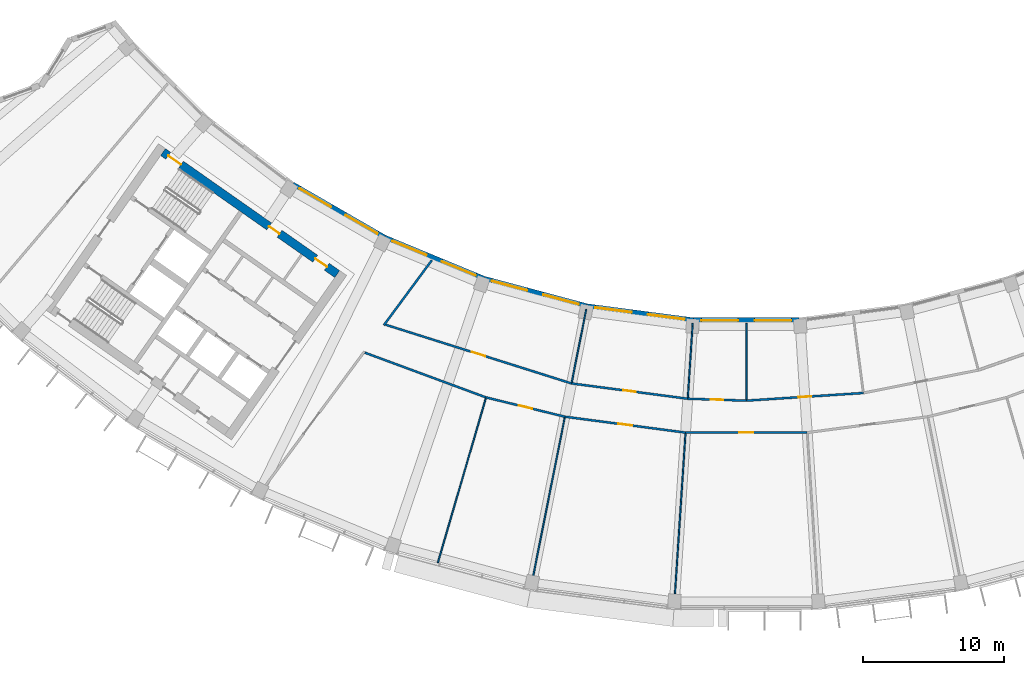
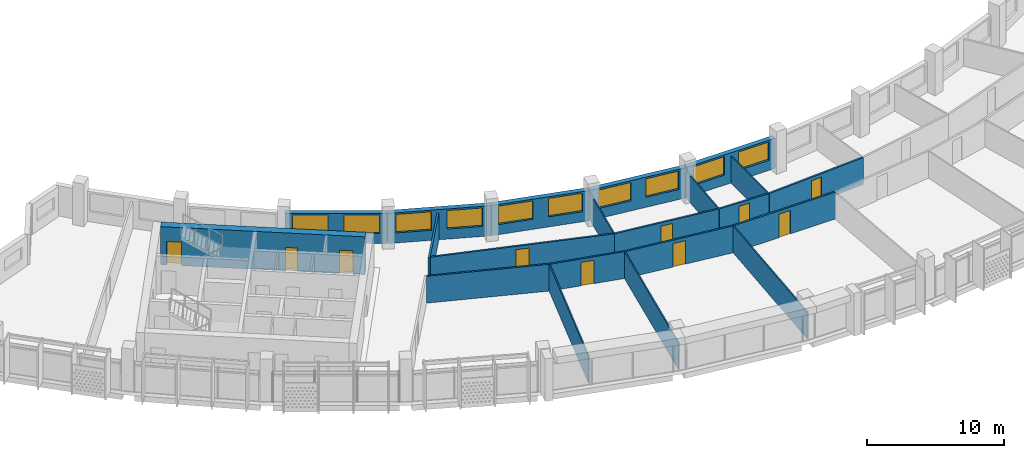
# One storey, part 4 of 27: 21 walls, 10 doors, 10 windows, 20 openings.
"""IFC4 building model written with IfcOpenShell, lengths in metres."""

from ifc_helpers import new_model, si_unit, direction, frame, frame_2d, origin, place, context, subcontext, project, spatial, rectangle, extrude, material, layer, layer_set, type_object, element, fill, save


model = new_model("IFC4")

# Units and contexts
model_context = context("Model", 3, precision=1e-05, world=origin(), true_north=direction((0.0, 1.0)))
body_context = subcontext(model_context, "Body", "Model", "MODEL_VIEW")
ifc_project = project(units=[si_unit("LENGTHUNIT", "METRE"), si_unit("AREAUNIT", "SQUARE_METRE"), si_unit("VOLUMEUNIT", "CUBIC_METRE"), si_unit("PLANEANGLEUNIT", "RADIAN"), si_unit("MASSUNIT", "GRAM", prefix="KILO")], contexts=[model_context])

# Site, building, storey
site_placement = place(None, origin())
site = spatial("IfcSite", under=ifc_project, at=site_placement, CompositionType="ELEMENT")
building_placement = place(site_placement, origin())
building = spatial("IfcBuilding", under=site, at=building_placement, Name="Qamariyya Broadcast Tower", CompositionType="ELEMENT")
storey_placement = place(building_placement, frame((0.0, 0.0, 280.89990234375)))
storey = spatial("IfcBuildingStorey", under=building, at=storey_placement, Name="L68", CompositionType="ELEMENT", Elevation=280.89990234375)

# Wall, openings, doors
ifc_material_1 = material(Name="Concrete C60/75", Category="concrete")
ifc_layer_1 = layer(ifc_material_1, 0.60009765625)
ifc_layer_set_1 = layer_set([ifc_layer_1], Name="Core wall 600 mm Concrete C60/75")
wall_type_1 = type_object("IfcWallType", Name="Core wall 600 mm Concrete C60/75", PredefinedType="SHEAR", material=ifc_layer_set_1)
wall_1_placement = place(storey_placement, frame((-28.940673828125, -54.447021484375, 0.0), z_axis=(0.0, 0.0, 1.0), x_axis=(-0.819153391756, 0.573574511963, 0.0)))
wall_1 = element("IfcWall", 1, at=wall_1_placement, inside=storey, type_object=wall_type_1, Name="k-W-L68-WI", PredefinedType="SHEAR", context=body_context, shape_type="SweptSolid", body=[
    extrude(rectangle(XDim=15.04541015625, YDim=0.60009765625, at=frame_2d((7.522705078125, 0.0))), origin(), (0.0, 0.0, 1.0), 3.400146484375),
])
opening_1_placement = place(wall_1_placement, frame((0.89990234375, 0.0, 0.0)))
opening_1 = element("IfcOpeningElement", 2, at=opening_1_placement, cuts=wall_1, Name="Opening KD7-W1", PredefinedType="OPENING", context=body_context, shape_type="SweptSolid", body=[
    extrude(rectangle(XDim=1.0, YDim=2.10009765625, at=frame_2d((0.5, 1.050048828125))), frame((0.0, 0.31005859375, 0.0), z_axis=(0.0, -1.0, 0.0), x_axis=(1.0, 0.0, 0.0)), (0.0, 0.0, 1.0), 0.6201171875),
])
opening_2_placement = place(wall_1_placement, frame((4.97509765625, 0.0, 0.0)))
opening_2 = element("IfcOpeningElement", 3, at=opening_2_placement, cuts=wall_1, Name="Opening KD5-W1", PredefinedType="OPENING", context=body_context, shape_type="SweptSolid", body=[
    extrude(rectangle(XDim=0.89990234375, YDim=2.10009765625, at=frame_2d((0.449951171875, 1.050048828125))), frame((0.0, 0.31005859375, 0.0), z_axis=(0.0, -1.0, 0.0), x_axis=(1.0, 0.0, 0.0)), (0.0, 0.0, 1.0), 0.6201171875),
])
opening_3_placement = place(wall_1_placement, frame((13.495361328125, 0.0, 0.0)))
opening_3 = element("IfcOpeningElement", 4, at=opening_3_placement, cuts=wall_1, Name="Opening KD1-W1", PredefinedType="OPENING", context=body_context, shape_type="SweptSolid", body=[
    extrude(rectangle(XDim=1.10009765625, YDim=2.10009765625, at=frame_2d((0.550048828125, 1.050048828125))), frame((0.0, 0.31005859375, 0.0), z_axis=(0.0, -1.0, 0.0), x_axis=(1.0, 0.0, 0.0)), (0.0, 0.0, 1.0), 0.6201171875),
])
ifc_material_2 = material(Name="Steel fire-resisting door leaf", Category="steel")
door_type_1 = type_object("IfcDoorType", Name="Accessible toilet door KD7", OperationType="SINGLE_SWING_LEFT", PredefinedType="DOOR", material=ifc_material_2)
door_1_placement = place(opening_1_placement, origin())
door_1 = element("IfcDoor", 5, at=door_1_placement, inside=storey, type_object=door_type_1, Name="k-W-L68-WI-D8", OperationType="SINGLE_SWING_LEFT", OverallHeight=2.10009765625, OverallWidth=1.0, PredefinedType="DOOR", context=body_context, shape_type="SweptSolid", body=[
    extrude(rectangle(XDim=1.0, YDim=2.10009765625, at=frame_2d((0.5, 1.050048828125))), frame((0.0, 0.02490234375, 0.0), z_axis=(0.0, -1.0, 0.0), x_axis=(1.0, 0.0, 0.0)), (0.0, 0.0, 1.0), 0.050048828125),
])
fill(opening_1, door_1)
door_type_2 = type_object("IfcDoorType", Name="Stair door KD1", OperationType="SINGLE_SWING_LEFT", PredefinedType="DOOR", material=ifc_material_2)
door_2_placement = place(opening_3_placement, origin())
door_2 = element("IfcDoor", 6, at=door_2_placement, inside=storey, type_object=door_type_2, Name="k-W-L68-WI-D16", OperationType="SINGLE_SWING_RIGHT", OverallHeight=2.10009765625, OverallWidth=1.10009765625, PredefinedType="DOOR", context=body_context, shape_type="SweptSolid", body=[
    extrude(rectangle(XDim=1.10009765625, YDim=2.10009765625, at=frame_2d((0.550048828125, 1.050048828125))), frame((0.0, 0.02490234375, 0.0), z_axis=(0.0, -1.0, 0.0), x_axis=(1.0, 0.0, 0.0)), (0.0, 0.0, 1.0), 0.050048828125),
])
fill(opening_3, door_2)
door_type_3 = type_object("IfcDoorType", Name="Toilet door KD5", OperationType="SINGLE_SWING_LEFT", PredefinedType="DOOR", material=ifc_material_2)
door_3_placement = place(opening_2_placement, origin())
door_3 = element("IfcDoor", 7, at=door_3_placement, inside=storey, type_object=door_type_3, Name="k-W-L68-WI-D9", OperationType="SINGLE_SWING_RIGHT", OverallHeight=2.10009765625, OverallWidth=0.89990234375, PredefinedType="DOOR", context=body_context, shape_type="SweptSolid", body=[
    extrude(rectangle(XDim=0.89990234375, YDim=2.10009765625, at=frame_2d((0.449951171875, 1.050048828125))), frame((0.0, 0.02490234375, 0.0), z_axis=(0.0, -1.0, 0.0), x_axis=(1.0, 0.0, 0.0)), (0.0, 0.0, 1.0), 0.050048828125),
])
fill(opening_2, door_3)

# Wall
ifc_material_3 = material(Name="Gypsum board partition")
ifc_layer_2 = layer(ifc_material_3, 0.14990234375)
ifc_layer_set_2 = layer_set([ifc_layer_2], Name="Corridor partition 150 EI 60")
wall_type_2 = type_object("IfcWallType", Name="Corridor partition 150 EI 60", PredefinedType="PARTITIONING", material=ifc_layer_set_2)
wall_2_placement = place(storey_placement, frame((-26.987060546875, -60.00537109375, 0.0), z_axis=(0.0, 0.0, 1.0), x_axis=(0.93809473792, -0.346378784984, 0.0)))
element("IfcWall", 8, at=wall_2_placement, inside=storey, type_object=wall_type_2, Name="Partition L68-003", PredefinedType="PARTITIONING", context=body_context, shape_type="SweptSolid", body=[
    extrude(rectangle(XDim=9.13818359375, YDim=0.14990234375, at=frame_2d((4.569091796875, 0.0))), origin(), (0.0, 0.0, 1.0), 2.400146484375),
])

# Wall, opening, door
wall_3_placement = place(storey_placement, frame((-25.526611328125, -58.025146484375, 0.0), z_axis=(0.0, 0.0, 1.0), x_axis=(0.953549502203, -0.301236363754, 0.0)))
wall_3 = element("IfcWall", 9, at=wall_3_placement, inside=storey, type_object=wall_type_2, Name="Partition L68-004", PredefinedType="PARTITIONING", context=body_context, shape_type="SweptSolid", body=[
    extrude(rectangle(XDim=13.798828125, YDim=0.14990234375, at=frame_2d((6.8994140625, 0.0))), origin(), (0.0, 0.0, 1.0), 2.400146484375),
])
opening_4_placement = place(wall_3_placement, frame((6.3994140625, 0.0, 0.0)))
opening_4 = element("IfcOpeningElement", 10, at=opening_4_placement, cuts=wall_3, Name="Opening L68-D08", PredefinedType="OPENING", context=body_context, shape_type="SweptSolid", body=[
    extrude(rectangle(XDim=1.0, YDim=2.10009765625, at=frame_2d((0.5, 1.050048828125))), frame((0.0, 0.0849609375, 0.0), z_axis=(0.0, -1.0, 0.0), x_axis=(1.0, 0.0, 0.0)), (0.0, 0.0, 1.0), 0.169921875),
])
ifc_material_4 = material(Name="Timber fire door leaf", Category="wood")
door_type_4 = type_object("IfcDoorType", Name="Fire door 1000 x 2100 FD60", OperationType="NOTDEFINED", PredefinedType="DOOR", material=ifc_material_4)
door_4_placement = place(opening_4_placement, origin())
door_4 = element("IfcDoor", 11, at=door_4_placement, inside=storey, type_object=door_type_4, Name="Door L68-D08", OperationType="SINGLE_SWING_RIGHT", OverallHeight=2.10009765625, OverallWidth=1.0, PredefinedType="DOOR", context=body_context, shape_type="SweptSolid", body=[
    extrude(rectangle(XDim=1.0, YDim=2.10009765625, at=frame_2d((0.5, 1.050048828125))), frame((0.0, 0.02490234375, 0.0), z_axis=(0.0, -1.0, 0.0), x_axis=(1.0, 0.0, 0.0)), (0.0, 0.0, 1.0), 0.050048828125),
])
fill(opening_4, door_4)

# Wall
wall_4_placement = place(storey_placement, frame((-22.251953125, -53.469482421875, 0.0), z_axis=(0.0, 0.0, 1.0), x_axis=(-0.593872728047, -0.804558999006, 0.0)))
element("IfcWall", 12, at=wall_4_placement, inside=storey, type_object=wall_type_2, Name="Partition L68-005", PredefinedType="PARTITIONING", context=body_context, shape_type="SweptSolid", body=[
    extrude(rectangle(XDim=5.709228515625, YDim=0.14990234375, at=frame_2d((2.8544921875, 0.0))), origin(), (0.0, 0.0, 1.0), 2.400146484375),
])

# Wall, opening, door
wall_5_placement = place(storey_placement, frame((-12.8369140625, -64.53564453125, 0.0), z_axis=(0.0, 0.0, 1.0), x_axis=(-0.971335989794, 0.237710737938, 0.0)))
wall_5 = element("IfcWall", 13, at=wall_5_placement, inside=storey, type_object=wall_type_2, Name="Partition L68-007", PredefinedType="PARTITIONING", context=body_context, shape_type="SweptSolid", body=[
    extrude(rectangle(XDim=5.7421875, YDim=0.14990234375, at=frame_2d((2.87109375, 0.0))), origin(), (0.0, 0.0, 1.0), 2.400146484375),
])
opening_5_placement = place(wall_5_placement, frame((2.37109375, 0.0, 0.0)))
opening_5 = element("IfcOpeningElement", 14, at=opening_5_placement, cuts=wall_5, Name="Opening L68-D02", PredefinedType="OPENING", context=body_context, shape_type="SweptSolid", body=[
    extrude(rectangle(XDim=1.0, YDim=2.10009765625, at=frame_2d((0.5, 1.050048828125))), frame((0.0, 0.0849609375, 0.0), z_axis=(0.0, -1.0, 0.0), x_axis=(1.0, 0.0, 0.0)), (0.0, 0.0, 1.0), 0.169921875),
])
door_5_placement = place(opening_5_placement, origin())
door_5 = element("IfcDoor", 15, at=door_5_placement, inside=storey, type_object=door_type_4, Name="Door L68-D02", OperationType="SINGLE_SWING_RIGHT", OverallHeight=2.10009765625, OverallWidth=1.0, PredefinedType="DOOR", context=body_context, shape_type="SweptSolid", body=[
    extrude(rectangle(XDim=1.0, YDim=2.10009765625, at=frame_2d((0.5, 1.050048828125))), frame((0.0, 0.02490234375, 0.0), z_axis=(0.0, -1.0, 0.0), x_axis=(1.0, 0.0, 0.0)), (0.0, 0.0, 1.0), 0.050048828125),
])
fill(opening_5, door_5)

wall_6_placement = place(storey_placement, frame((-4.303466796875, -65.6591796875, 0.0), z_axis=(0.0, 0.0, 1.0), x_axis=(-0.991443575654, 0.130535957862, 0.0)))
wall_6 = element("IfcWall", 16, at=wall_6_placement, inside=storey, type_object=wall_type_2, Name="Partition L68-009", PredefinedType="PARTITIONING", context=body_context, shape_type="SweptSolid", body=[
    extrude(rectangle(XDim=8.607177734375, YDim=0.14990234375, at=frame_2d((4.3037109375, 0.0))), origin(), (0.0, 0.0, 1.0), 2.400146484375),
])
opening_6_placement = place(wall_6_placement, frame((3.803466796875, 0.0, 0.0)))
opening_6 = element("IfcOpeningElement", 17, at=opening_6_placement, cuts=wall_6, Name="Opening L68-D03", PredefinedType="OPENING", context=body_context, shape_type="SweptSolid", body=[
    extrude(rectangle(XDim=1.0, YDim=2.10009765625, at=frame_2d((0.5, 1.050048828125))), frame((0.0, 0.0849609375, 0.0), z_axis=(0.0, -1.0, 0.0), x_axis=(1.0, 0.0, 0.0)), (0.0, 0.0, 1.0), 0.169921875),
])
door_6_placement = place(opening_6_placement, origin())
door_6 = element("IfcDoor", 18, at=door_6_placement, inside=storey, type_object=door_type_4, Name="Door L68-D03", OperationType="SINGLE_SWING_RIGHT", OverallHeight=2.10009765625, OverallWidth=1.0, PredefinedType="DOOR", context=body_context, shape_type="SweptSolid", body=[
    extrude(rectangle(XDim=1.0, YDim=2.10009765625, at=frame_2d((0.5, 1.050048828125))), frame((0.0, 0.02490234375, 0.0), z_axis=(0.0, -1.0, 0.0), x_axis=(1.0, 0.0, 0.0)), (0.0, 0.0, 1.0), 0.050048828125),
])
fill(opening_6, door_6)

wall_7_placement = place(storey_placement, frame((-12.36865234375, -62.181884765625, 0.0), z_axis=(0.0, 0.0, 1.0), x_axis=(0.991447881484, -0.130503250152, 0.0)))
wall_7 = element("IfcWall", 19, at=wall_7_placement, inside=storey, type_object=wall_type_2, Name="Partition L68-010", PredefinedType="PARTITIONING", context=body_context, shape_type="SweptSolid", body=[
    extrude(rectangle(XDim=8.293212890625, YDim=0.14990234375, at=frame_2d((4.146484375, 0.0))), origin(), (0.0, 0.0, 1.0), 2.400146484375),
])
opening_7_placement = place(wall_7_placement, frame((3.696533203125, 0.0, 0.0)))
opening_7 = element("IfcOpeningElement", 20, at=opening_7_placement, cuts=wall_7, Name="Opening L68-D09", PredefinedType="OPENING", context=body_context, shape_type="SweptSolid", body=[
    extrude(rectangle(XDim=0.89990234375, YDim=2.10009765625, at=frame_2d((0.449951171875, 1.050048828125))), frame((0.0, 0.0849609375, 0.0), z_axis=(0.0, -1.0, 0.0), x_axis=(1.0, 0.0, 0.0)), (0.0, 0.0, 1.0), 0.169921875),
])
door_type_5 = type_object("IfcDoorType", Name="Fire door 900 x 2100 FD60", OperationType="NOTDEFINED", PredefinedType="DOOR", material=ifc_material_4)
door_7_placement = place(opening_7_placement, origin())
door_7 = element("IfcDoor", 21, at=door_7_placement, inside=storey, type_object=door_type_5, Name="Door L68-D09", OperationType="SINGLE_SWING_RIGHT", OverallHeight=2.10009765625, OverallWidth=0.89990234375, PredefinedType="DOOR", context=body_context, shape_type="SweptSolid", body=[
    extrude(rectangle(XDim=0.89990234375, YDim=2.10009765625, at=frame_2d((0.449951171875, 1.050048828125))), frame((0.0, 0.02490234375, 0.0), z_axis=(0.0, -1.0, 0.0), x_axis=(1.0, 0.0, 0.0)), (0.0, 0.0, 1.0), 0.050048828125),
])
fill(opening_7, door_7)

wall_8_placement = place(storey_placement, frame((4.303466796875, -65.6591796875, 0.0), z_axis=(0.0, 0.0, 1.0), x_axis=(-1.0, 0.0, 0.0)))
wall_8 = element("IfcWall", 22, at=wall_8_placement, inside=storey, type_object=wall_type_2, Name="Partition L68-013", PredefinedType="PARTITIONING", context=body_context, shape_type="SweptSolid", body=[
    extrude(rectangle(XDim=8.60693359375, YDim=0.14990234375, at=frame_2d((4.303466796875, 0.0))), origin(), (0.0, 0.0, 1.0), 2.400146484375),
])
opening_8_placement = place(wall_8_placement, frame((3.803466796875, 0.0, 0.0)))
opening_8 = element("IfcOpeningElement", 23, at=opening_8_placement, cuts=wall_8, Name="Opening L68-D04", PredefinedType="OPENING", context=body_context, shape_type="SweptSolid", body=[
    extrude(rectangle(XDim=1.0, YDim=2.10009765625, at=frame_2d((0.5, 1.050048828125))), frame((0.0, 0.0849609375, 0.0), z_axis=(0.0, -1.0, 0.0), x_axis=(1.0, 0.0, 0.0)), (0.0, 0.0, 1.0), 0.169921875),
])
door_8_placement = place(opening_8_placement, origin())
door_8 = element("IfcDoor", 24, at=door_8_placement, inside=storey, type_object=door_type_4, Name="Door L68-D04", OperationType="SINGLE_SWING_RIGHT", OverallHeight=2.10009765625, OverallWidth=1.0, PredefinedType="DOOR", context=body_context, shape_type="SweptSolid", body=[
    extrude(rectangle(XDim=1.0, YDim=2.10009765625, at=frame_2d((0.5, 1.050048828125))), frame((0.0, 0.02490234375, 0.0), z_axis=(0.0, -1.0, 0.0), x_axis=(1.0, 0.0, 0.0)), (0.0, 0.0, 1.0), 0.050048828125),
])
fill(opening_8, door_8)

wall_9_placement = place(storey_placement, frame((-4.146484375, -63.26416015625, 0.0), z_axis=(0.0, 0.0, 1.0), x_axis=(0.999464584765, -0.032719165634, 0.0)))
wall_9 = element("IfcWall", 25, at=wall_9_placement, inside=storey, type_object=wall_type_2, Name="Partition L68-014", PredefinedType="PARTITIONING", context=body_context, shape_type="SweptSolid", body=[
    extrude(rectangle(XDim=4.148681640625, YDim=0.14990234375, at=frame_2d((2.07421875, 0.0))), origin(), (0.0, 0.0, 1.0), 2.400146484375),
])
opening_9_placement = place(wall_9_placement, frame((1.62451171875, 0.0, 0.0)))
opening_9 = element("IfcOpeningElement", 26, at=opening_9_placement, cuts=wall_9, Name="Opening L68-D10", PredefinedType="OPENING", context=body_context, shape_type="SweptSolid", body=[
    extrude(rectangle(XDim=0.89990234375, YDim=2.10009765625, at=frame_2d((0.449951171875, 1.050048828125))), frame((0.0, 0.0849609375, 0.0), z_axis=(0.0, -1.0, 0.0), x_axis=(1.0, 0.0, 0.0)), (0.0, 0.0, 1.0), 0.169921875),
])
door_9_placement = place(opening_9_placement, origin())
door_9 = element("IfcDoor", 27, at=door_9_placement, inside=storey, type_object=door_type_5, Name="Door L68-D10", OperationType="SINGLE_SWING_RIGHT", OverallHeight=2.10009765625, OverallWidth=0.89990234375, PredefinedType="DOOR", context=body_context, shape_type="SweptSolid", body=[
    extrude(rectangle(XDim=0.89990234375, YDim=2.10009765625, at=frame_2d((0.449951171875, 1.050048828125))), frame((0.0, 0.02490234375, 0.0), z_axis=(0.0, -1.0, 0.0), x_axis=(1.0, 0.0, 0.0)), (0.0, 0.0, 1.0), 0.050048828125),
])
fill(opening_9, door_9)

wall_10_placement = place(storey_placement, frame((0.0, -63.39990234375, 0.0), z_axis=(0.0, 0.0, 1.0), x_axis=(0.997860193426, 0.065383747038, 0.0)))
wall_10 = element("IfcWall", 28, at=wall_10_placement, inside=storey, type_object=wall_type_2, Name="Partition L68-016", PredefinedType="PARTITIONING", context=body_context, shape_type="SweptSolid", body=[
    extrude(rectangle(XDim=8.293212890625, YDim=0.14990234375, at=frame_2d((4.146484375, 0.0))), origin(), (0.0, 0.0, 1.0), 2.400146484375),
])
opening_10_placement = place(wall_10_placement, frame((3.696533203125, 0.0, 0.0)))
opening_10 = element("IfcOpeningElement", 29, at=opening_10_placement, cuts=wall_10, Name="Opening L68-D11", PredefinedType="OPENING", context=body_context, shape_type="SweptSolid", body=[
    extrude(rectangle(XDim=0.89990234375, YDim=2.10009765625, at=frame_2d((0.449951171875, 1.050048828125))), frame((0.0, 0.0849609375, 0.0), z_axis=(0.0, -1.0, 0.0), x_axis=(1.0, 0.0, 0.0)), (0.0, 0.0, 1.0), 0.169921875),
])
door_10_placement = place(opening_10_placement, origin())
door_10 = element("IfcDoor", 30, at=door_10_placement, inside=storey, type_object=door_type_5, Name="Door L68-D11", OperationType="SINGLE_SWING_RIGHT", OverallHeight=2.10009765625, OverallWidth=0.89990234375, PredefinedType="DOOR", context=body_context, shape_type="SweptSolid", body=[
    extrude(rectangle(XDim=0.89990234375, YDim=2.10009765625, at=frame_2d((0.449951171875, 1.050048828125))), frame((0.0, 0.02490234375, 0.0), z_axis=(0.0, -1.0, 0.0), x_axis=(1.0, 0.0, 0.0)), (0.0, 0.0, 1.0), 0.050048828125),
])
fill(opening_10, door_10)

# Walls
ifc_layer_3 = layer(ifc_material_3, 0.10009765625)
ifc_layer_set_3 = layer_set([ifc_layer_3], Name="Partition 100")
wall_type_3 = type_object("IfcWallType", Name="Partition 100", PredefinedType="PARTITIONING", material=ifc_layer_set_3)
wall_11_placement = place(storey_placement, frame((-21.8291015625, -74.884033203125, 0.0), z_axis=(0.0, 0.0, 1.0), x_axis=(0.279860058942, 0.960040805075, 0.0)))
element("IfcWall", 31, at=wall_11_placement, inside=storey, type_object=wall_type_3, Name="Partition L68-006", PredefinedType="PARTITIONING", context=body_context, shape_type="SweptSolid", body=[
    extrude(rectangle(XDim=12.1259765625, YDim=0.10009765625, at=frame_2d((6.06298828125, 0.0))), origin(), (0.0, 0.0, 1.0), 2.400146484375),
])
wall_12_placement = place(storey_placement, frame((-15.246337890625, -76.6484375, 0.0), z_axis=(0.0, 0.0, 1.0), x_axis=(0.195090980681, 0.980785149386, 0.0)))
element("IfcWall", 32, at=wall_12_placement, inside=storey, type_object=wall_type_3, Name="Partition L68-008", PredefinedType="PARTITIONING", context=body_context, shape_type="SweptSolid", body=[
    extrude(rectangle(XDim=12.275146484375, YDim=0.10009765625, at=frame_2d((6.1376953125, 0.0))), origin(), (0.0, 0.0, 1.0), 2.400146484375),
])
wall_13_placement = place(storey_placement, frame((-11.324951171875, -56.9345703125, 0.0), z_axis=(0.0, 0.0, 1.0), x_axis=(-0.195083555743, -0.980786626274, 0.0)))
element("IfcWall", 33, at=wall_13_placement, inside=storey, type_object=wall_type_3, Name="Partition L68-011", PredefinedType="PARTITIONING", context=body_context, shape_type="SweptSolid", body=[
    extrude(rectangle(XDim=5.27490234375, YDim=0.10009765625, at=frame_2d((2.637451171875, 0.0))), origin(), (0.0, 0.0, 1.0), 2.400146484375),
])
wall_14_placement = place(storey_placement, frame((-5.111328125, -77.982666015625, 0.0), z_axis=(0.0, 0.0, 1.0), x_axis=(0.065415386497, 0.997858119779, 0.0)))
element("IfcWall", 34, at=wall_14_placement, inside=storey, type_object=wall_type_3, Name="Partition L68-012", PredefinedType="PARTITIONING", context=body_context, shape_type="SweptSolid", body=[
    extrude(rectangle(XDim=12.275146484375, YDim=0.10009765625, at=frame_2d((6.1376953125, 0.0))), origin(), (0.0, 0.0, 1.0), 2.400146484375),
])
wall_15_placement = place(storey_placement, frame((-3.796630859375, -57.92578125, 0.0), z_axis=(0.0, 0.0, 1.0), x_axis=(-0.065397734607, -0.997859276806, 0.0)))
element("IfcWall", 35, at=wall_15_placement, inside=storey, type_object=wall_type_3, Name="Partition L68-015", PredefinedType="PARTITIONING", context=body_context, shape_type="SweptSolid", body=[
    extrude(rectangle(XDim=5.27490234375, YDim=0.10009765625, at=frame_2d((2.637451171875, 0.0))), origin(), (0.0, 0.0, 1.0), 2.400146484375),
])
wall_16_placement = place(storey_placement, frame((0.0, -57.926513671875, 0.0), z_axis=(0.0, 0.0, 1.0), x_axis=(0.0, -1.0, 0.0)))
element("IfcWall", 36, at=wall_16_placement, inside=storey, type_object=wall_type_3, Name="Partition L68-017", PredefinedType="PARTITIONING", context=body_context, shape_type="SweptSolid", body=[
    extrude(rectangle(XDim=5.3984375, YDim=0.10009765625, at=frame_2d((2.69921875, 0.0))), origin(), (0.0, 0.0, 1.0), 2.400146484375),
])

# Wall, openings, windows
ifc_material_5 = material(Name="Terracotta", Category="masonry")
ifc_layer_4 = layer(ifc_material_5, 0.39990234375)
ifc_layer_set_4 = layer_set([ifc_layer_4], Name="Terracotta clad wall 400")
wall_type_4 = type_object("IfcWallType", Name="Terracotta clad wall 400", PredefinedType="SOLIDWALL", material=ifc_layer_set_4)
wall_17_placement = place(storey_placement, frame((-25.630615234375, -51.859130859375, 0.0), z_axis=(0.0, 0.0, 1.0), x_axis=(-0.866016763373, 0.500014965334, 0.0)))
wall_17 = element("IfcWall", 37, at=wall_17_placement, inside=storey, type_object=wall_type_4, Name="e-wl-L68-in30", PredefinedType="SOLIDWALL", context=body_context, shape_type="SweptSolid", body=[
    extrude(rectangle(XDim=7.465576171875, YDim=0.39990234375, at=frame_2d((3.73291015625, 0.0))), origin(), (0.0, 0.0, 1.0), 2.7001953125),
])
opening_11_placement = place(wall_17_placement, frame((4.318115234375, 0.0, 0.89990234375)))
opening_11 = element("IfcOpeningElement", 38, at=opening_11_placement, cuts=wall_17, Name="Opening W1", PredefinedType="OPENING", context=body_context, shape_type="SweptSolid", body=[
    extrude(rectangle(XDim=2.60009765625, YDim=1.64990234375, at=frame_2d((1.300048828125, 0.824951171875))), frame((0.0, 0.2099609375, 0.0), z_axis=(0.0, -1.0, 0.0), x_axis=(1.0, 0.0, 0.0)), (0.0, 0.0, 1.0), 0.419921875),
])
opening_12_placement = place(wall_17_placement, frame((0.547607421875, 0.0, 0.89990234375)))
opening_12 = element("IfcOpeningElement", 39, at=opening_12_placement, cuts=wall_17, Name="Opening W1", PredefinedType="OPENING", context=body_context, shape_type="SweptSolid", body=[
    extrude(rectangle(XDim=2.60009765625, YDim=1.64990234375, at=frame_2d((1.300048828125, 0.824951171875))), frame((0.0, 0.2099609375, 0.0), z_axis=(0.0, -1.0, 0.0), x_axis=(1.0, 0.0, 0.0)), (0.0, 0.0, 1.0), 0.419921875),
])
ifc_material_6 = material(Name="Clear low-e double glazed unit in aluminium frame", Category="aluminium")
window_type = type_object("IfcWindowType", Name="Ribbon window 2600 x 1650", PartitioningType="SINGLE_PANEL", PredefinedType="WINDOW", material=ifc_material_6)
window_1_placement = place(opening_11_placement, origin())
window_1 = element("IfcWindow", 40, at=window_1_placement, inside=storey, type_object=window_type, Name="e-w-L68-in03-0", OverallHeight=1.64990234375, OverallWidth=2.60009765625, PartitioningType="SINGLE_PANEL", PredefinedType="WINDOW", context=body_context, shape_type="SweptSolid", body=[
    extrude(rectangle(XDim=2.60009765625, YDim=1.64990234375, at=frame_2d((1.300048828125, 0.824951171875))), frame((0.0, 0.030029296875, 0.0), z_axis=(0.0, -1.0, 0.0), x_axis=(1.0, 0.0, 0.0)), (0.0, 0.0, 1.0), 0.06005859375),
])
fill(opening_11, window_1)
window_2_placement = place(opening_12_placement, origin())
window_2 = element("IfcWindow", 41, at=window_2_placement, inside=storey, type_object=window_type, Name="e-w-L68-in03-1", OverallHeight=1.64990234375, OverallWidth=2.60009765625, PartitioningType="SINGLE_PANEL", PredefinedType="WINDOW", context=body_context, shape_type="SweptSolid", body=[
    extrude(rectangle(XDim=2.60009765625, YDim=1.64990234375, at=frame_2d((1.300048828125, 0.824951171875))), frame((0.0, 0.030029296875, 0.0), z_axis=(0.0, -1.0, 0.0), x_axis=(1.0, 0.0, 0.0)), (0.0, 0.0, 1.0), 0.06005859375),
])
fill(opening_12, window_2)

wall_18_placement = place(storey_placement, frame((-18.572265625, -54.789794921875, 0.0), z_axis=(0.0, 0.0, 1.0), x_axis=(-0.923887531937, 0.382664119472, 0.0)))
wall_18 = element("IfcWall", 42, at=wall_18_placement, inside=storey, type_object=wall_type_4, Name="e-wl-L68-in40", PredefinedType="SOLIDWALL", context=body_context, shape_type="SweptSolid", body=[
    extrude(rectangle(XDim=7.6171875, YDim=0.39990234375, at=frame_2d((3.80859375, 0.0))), origin(), (0.0, 0.0, 1.0), 2.7001953125),
])
opening_13_placement = place(wall_18_placement, frame((4.393798828125, 0.0, 0.89990234375)))
opening_13 = element("IfcOpeningElement", 43, at=opening_13_placement, cuts=wall_18, Name="Opening W1", PredefinedType="OPENING", context=body_context, shape_type="SweptSolid", body=[
    extrude(rectangle(XDim=2.60009765625, YDim=1.64990234375, at=frame_2d((1.300048828125, 0.824951171875))), frame((0.0, 0.2099609375, 0.0), z_axis=(0.0, -1.0, 0.0), x_axis=(1.0, 0.0, 0.0)), (0.0, 0.0, 1.0), 0.419921875),
])
opening_14_placement = place(wall_18_placement, frame((0.623291015625, 0.0, 0.89990234375)))
opening_14 = element("IfcOpeningElement", 44, at=opening_14_placement, cuts=wall_18, Name="Opening W1", PredefinedType="OPENING", context=body_context, shape_type="SweptSolid", body=[
    extrude(rectangle(XDim=2.60009765625, YDim=1.64990234375, at=frame_2d((1.300048828125, 0.824951171875))), frame((0.0, 0.2099609375, 0.0), z_axis=(0.0, -1.0, 0.0), x_axis=(1.0, 0.0, 0.0)), (0.0, 0.0, 1.0), 0.419921875),
])
window_3_placement = place(opening_13_placement, origin())
window_3 = element("IfcWindow", 45, at=window_3_placement, inside=storey, type_object=window_type, Name="e-w-L68-in04-0", OverallHeight=1.64990234375, OverallWidth=2.60009765625, PartitioningType="SINGLE_PANEL", PredefinedType="WINDOW", context=body_context, shape_type="SweptSolid", body=[
    extrude(rectangle(XDim=2.60009765625, YDim=1.64990234375, at=frame_2d((1.300048828125, 0.824951171875))), frame((0.0, 0.030029296875, 0.0), z_axis=(0.0, -1.0, 0.0), x_axis=(1.0, 0.0, 0.0)), (0.0, 0.0, 1.0), 0.06005859375),
])
fill(opening_13, window_3)
window_4_placement = place(opening_14_placement, origin())
window_4 = element("IfcWindow", 46, at=window_4_placement, inside=storey, type_object=window_type, Name="e-w-L68-in04-1", OverallHeight=1.64990234375, OverallWidth=2.60009765625, PartitioningType="SINGLE_PANEL", PredefinedType="WINDOW", context=body_context, shape_type="SweptSolid", body=[
    extrude(rectangle(XDim=2.60009765625, YDim=1.64990234375, at=frame_2d((1.300048828125, 0.824951171875))), frame((0.0, 0.030029296875, 0.0), z_axis=(0.0, -1.0, 0.0), x_axis=(1.0, 0.0, 0.0)), (0.0, 0.0, 1.0), 0.06005859375),
])
fill(opening_14, window_4)

wall_19_placement = place(storey_placement, frame((-11.3349609375, -56.725830078125, 0.0), z_axis=(0.0, 0.0, 1.0), x_axis=(-0.965923236695, 0.258828709406, 0.0)))
wall_19 = element("IfcWall", 47, at=wall_19_placement, inside=storey, type_object=wall_type_4, Name="e-wl-L68-in50", PredefinedType="SOLIDWALL", context=body_context, shape_type="SweptSolid", body=[
    extrude(rectangle(XDim=7.4658203125, YDim=0.39990234375, at=frame_2d((3.73291015625, 0.0))), origin(), (0.0, 0.0, 1.0), 2.7001953125),
])
opening_15_placement = place(wall_19_placement, frame((4.318115234375, 0.0, 0.89990234375)))
opening_15 = element("IfcOpeningElement", 48, at=opening_15_placement, cuts=wall_19, Name="Opening W1", PredefinedType="OPENING", context=body_context, shape_type="SweptSolid", body=[
    extrude(rectangle(XDim=2.60009765625, YDim=1.64990234375, at=frame_2d((1.300048828125, 0.824951171875))), frame((0.0, 0.2099609375, 0.0), z_axis=(0.0, -1.0, 0.0), x_axis=(1.0, 0.0, 0.0)), (0.0, 0.0, 1.0), 0.419921875),
])
opening_16_placement = place(wall_19_placement, frame((0.547607421875, 0.0, 0.89990234375)))
opening_16 = element("IfcOpeningElement", 49, at=opening_16_placement, cuts=wall_19, Name="Opening W1", PredefinedType="OPENING", context=body_context, shape_type="SweptSolid", body=[
    extrude(rectangle(XDim=2.60009765625, YDim=1.64990234375, at=frame_2d((1.300048828125, 0.824951171875))), frame((0.0, 0.2099609375, 0.0), z_axis=(0.0, -1.0, 0.0), x_axis=(1.0, 0.0, 0.0)), (0.0, 0.0, 1.0), 0.419921875),
])
window_5_placement = place(opening_15_placement, origin())
window_5 = element("IfcWindow", 50, at=window_5_placement, inside=storey, type_object=window_type, Name="e-w-L68-in05-0", OverallHeight=1.64990234375, OverallWidth=2.60009765625, PartitioningType="SINGLE_PANEL", PredefinedType="WINDOW", context=body_context, shape_type="SweptSolid", body=[
    extrude(rectangle(XDim=2.60009765625, YDim=1.64990234375, at=frame_2d((1.300048828125, 0.824951171875))), frame((0.0, 0.030029296875, 0.0), z_axis=(0.0, -1.0, 0.0), x_axis=(1.0, 0.0, 0.0)), (0.0, 0.0, 1.0), 0.06005859375),
])
fill(opening_15, window_5)
window_6_placement = place(opening_16_placement, origin())
window_6 = element("IfcWindow", 51, at=window_6_placement, inside=storey, type_object=window_type, Name="e-w-L68-in05-1", OverallHeight=1.64990234375, OverallWidth=2.60009765625, PartitioningType="SINGLE_PANEL", PredefinedType="WINDOW", context=body_context, shape_type="SweptSolid", body=[
    extrude(rectangle(XDim=2.60009765625, YDim=1.64990234375, at=frame_2d((1.300048828125, 0.824951171875))), frame((0.0, 0.030029296875, 0.0), z_axis=(0.0, -1.0, 0.0), x_axis=(1.0, 0.0, 0.0)), (0.0, 0.0, 1.0), 0.06005859375),
])
fill(opening_16, window_6)

wall_20_placement = place(storey_placement, frame((-3.7587890625, -57.729736328125, 0.0), z_axis=(0.0, 0.0, 1.0), x_axis=(-0.991446548217, 0.130513378733, 0.0)))
wall_20 = element("IfcWall", 52, at=wall_20_placement, inside=storey, type_object=wall_type_4, Name="e-wl-L68-in60", PredefinedType="SOLIDWALL", context=body_context, shape_type="SweptSolid", body=[
    extrude(rectangle(XDim=7.6171875, YDim=0.39990234375, at=frame_2d((3.80859375, 0.0))), origin(), (0.0, 0.0, 1.0), 2.7001953125),
])
opening_17_placement = place(wall_20_placement, frame((4.393798828125, 0.0, 0.89990234375)))
opening_17 = element("IfcOpeningElement", 53, at=opening_17_placement, cuts=wall_20, Name="Opening W1", PredefinedType="OPENING", context=body_context, shape_type="SweptSolid", body=[
    extrude(rectangle(XDim=2.60009765625, YDim=1.64990234375, at=frame_2d((1.300048828125, 0.824951171875))), frame((0.0, 0.2099609375, 0.0), z_axis=(0.0, -1.0, 0.0), x_axis=(1.0, 0.0, 0.0)), (0.0, 0.0, 1.0), 0.419921875),
])
opening_18_placement = place(wall_20_placement, frame((0.623291015625, 0.0, 0.89990234375)))
opening_18 = element("IfcOpeningElement", 54, at=opening_18_placement, cuts=wall_20, Name="Opening W1", PredefinedType="OPENING", context=body_context, shape_type="SweptSolid", body=[
    extrude(rectangle(XDim=2.60009765625, YDim=1.64990234375, at=frame_2d((1.300048828125, 0.824951171875))), frame((0.0, 0.2099609375, 0.0), z_axis=(0.0, -1.0, 0.0), x_axis=(1.0, 0.0, 0.0)), (0.0, 0.0, 1.0), 0.419921875),
])
window_7_placement = place(opening_17_placement, origin())
window_7 = element("IfcWindow", 55, at=window_7_placement, inside=storey, type_object=window_type, Name="e-w-L68-in06-0", OverallHeight=1.64990234375, OverallWidth=2.60009765625, PartitioningType="SINGLE_PANEL", PredefinedType="WINDOW", context=body_context, shape_type="SweptSolid", body=[
    extrude(rectangle(XDim=2.60009765625, YDim=1.64990234375, at=frame_2d((1.300048828125, 0.824951171875))), frame((0.0, 0.030029296875, 0.0), z_axis=(0.0, -1.0, 0.0), x_axis=(1.0, 0.0, 0.0)), (0.0, 0.0, 1.0), 0.06005859375),
])
fill(opening_17, window_7)
window_8_placement = place(opening_18_placement, origin())
window_8 = element("IfcWindow", 56, at=window_8_placement, inside=storey, type_object=window_type, Name="e-w-L68-in06-1", OverallHeight=1.64990234375, OverallWidth=2.60009765625, PartitioningType="SINGLE_PANEL", PredefinedType="WINDOW", context=body_context, shape_type="SweptSolid", body=[
    extrude(rectangle(XDim=2.60009765625, YDim=1.64990234375, at=frame_2d((1.300048828125, 0.824951171875))), frame((0.0, 0.030029296875, 0.0), z_axis=(0.0, -1.0, 0.0), x_axis=(1.0, 0.0, 0.0)), (0.0, 0.0, 1.0), 0.06005859375),
])
fill(opening_18, window_8)

wall_21_placement = place(storey_placement, frame((3.73291015625, -57.7265625, 0.0), z_axis=(0.0, 0.0, 1.0), x_axis=(-1.0, 0.0, 0.0)))
wall_21 = element("IfcWall", 57, at=wall_21_placement, inside=storey, type_object=wall_type_4, Name="e-wl-L68-in70", PredefinedType="SOLIDWALL", context=body_context, shape_type="SweptSolid", body=[
    extrude(rectangle(XDim=7.4658203125, YDim=0.39990234375, at=frame_2d((3.73291015625, 0.0))), origin(), (0.0, 0.0, 1.0), 2.7001953125),
])
opening_19_placement = place(wall_21_placement, frame((4.318115234375, 0.0, 0.89990234375)))
opening_19 = element("IfcOpeningElement", 58, at=opening_19_placement, cuts=wall_21, Name="Opening W1", PredefinedType="OPENING", context=body_context, shape_type="SweptSolid", body=[
    extrude(rectangle(XDim=2.60009765625, YDim=1.64990234375, at=frame_2d((1.300048828125, 0.824951171875))), frame((0.0, 0.2099609375, 0.0), z_axis=(0.0, -1.0, 0.0), x_axis=(1.0, 0.0, 0.0)), (0.0, 0.0, 1.0), 0.419921875),
])
opening_20_placement = place(wall_21_placement, frame((0.547607421875, 0.0, 0.89990234375)))
opening_20 = element("IfcOpeningElement", 59, at=opening_20_placement, cuts=wall_21, Name="Opening W1", PredefinedType="OPENING", context=body_context, shape_type="SweptSolid", body=[
    extrude(rectangle(XDim=2.60009765625, YDim=1.64990234375, at=frame_2d((1.300048828125, 0.824951171875))), frame((0.0, 0.2099609375, 0.0), z_axis=(0.0, -1.0, 0.0), x_axis=(1.0, 0.0, 0.0)), (0.0, 0.0, 1.0), 0.419921875),
])
window_9_placement = place(opening_19_placement, origin())
window_9 = element("IfcWindow", 60, at=window_9_placement, inside=storey, type_object=window_type, Name="e-w-L68-in07-0", OverallHeight=1.64990234375, OverallWidth=2.60009765625, PartitioningType="SINGLE_PANEL", PredefinedType="WINDOW", context=body_context, shape_type="SweptSolid", body=[
    extrude(rectangle(XDim=2.60009765625, YDim=1.64990234375, at=frame_2d((1.300048828125, 0.824951171875))), frame((0.0, 0.030029296875, 0.0), z_axis=(0.0, -1.0, 0.0), x_axis=(1.0, 0.0, 0.0)), (0.0, 0.0, 1.0), 0.06005859375),
])
fill(opening_19, window_9)
window_10_placement = place(opening_20_placement, origin())
window_10 = element("IfcWindow", 61, at=window_10_placement, inside=storey, type_object=window_type, Name="e-w-L68-in07-1", OverallHeight=1.64990234375, OverallWidth=2.60009765625, PartitioningType="SINGLE_PANEL", PredefinedType="WINDOW", context=body_context, shape_type="SweptSolid", body=[
    extrude(rectangle(XDim=2.60009765625, YDim=1.64990234375, at=frame_2d((1.300048828125, 0.824951171875))), frame((0.0, 0.030029296875, 0.0), z_axis=(0.0, -1.0, 0.0), x_axis=(1.0, 0.0, 0.0)), (0.0, 0.0, 1.0), 0.06005859375),
])
fill(opening_20, window_10)

save(model, "model.ifc")
